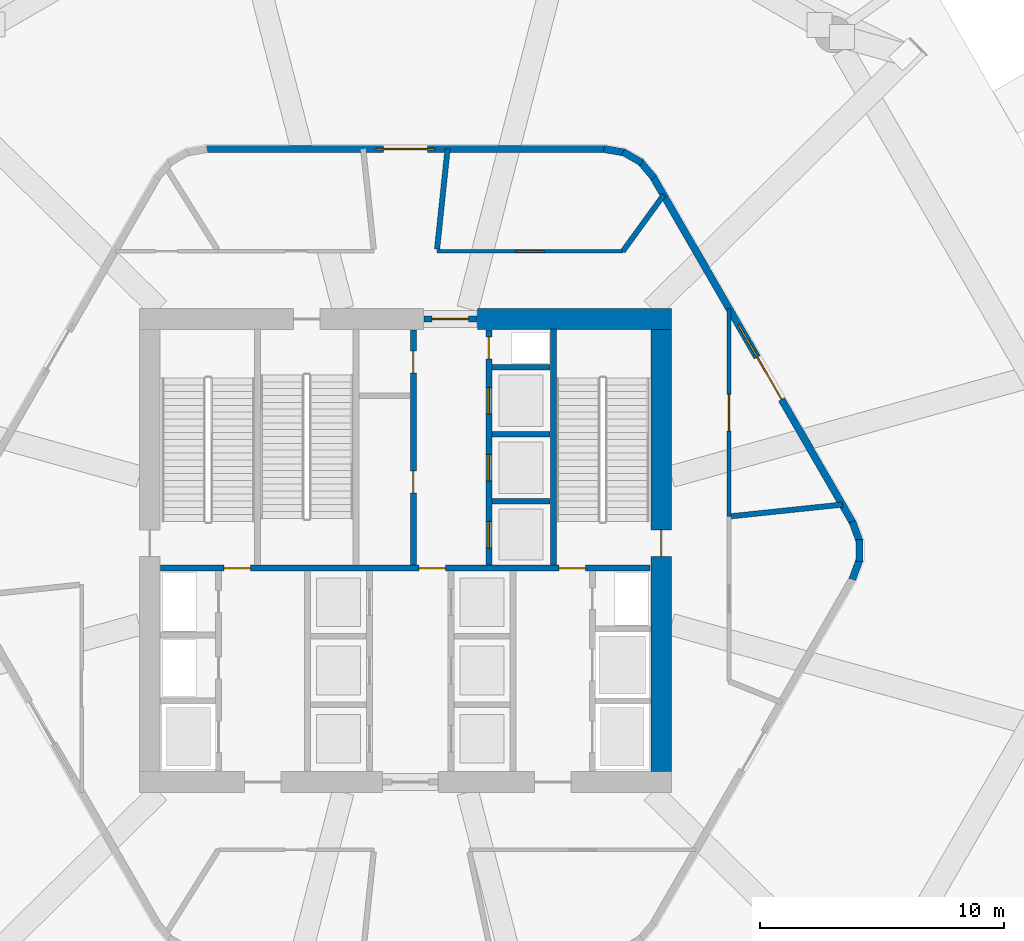
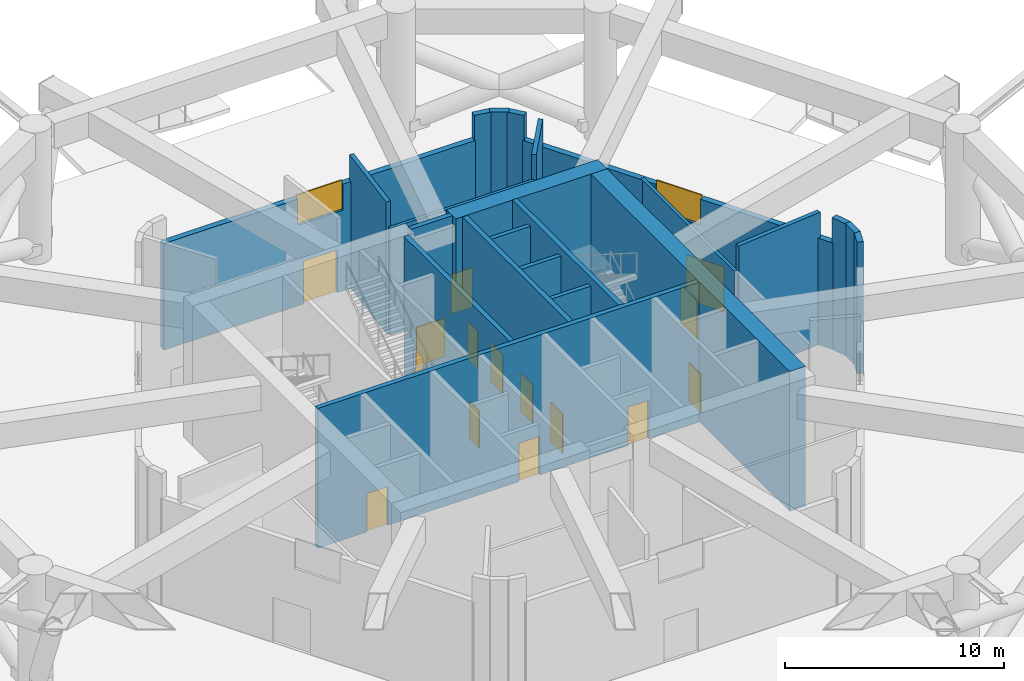
# One storey, part 11 of 17: 23 walls, 15 doors, 2 windows, 17 openings.
"""IFC4 building model written with IfcOpenShell, lengths in metres."""

import ifcopenshell
import ifcopenshell.guid

model = None  # the IFC model being written
_history = None  # IfcOwnerHistory: only IFC2X3 demands one
_inside = {}  # id of a spatial element -> (the spatial element, [elements in it])
_under = {}  # id of a project, library or spatial element -> (it, [spatial elements below it])
_declared = {}  # id of a project -> (the project, [libraries it declares])
_typed = {}  # id of a type object -> (the type object, [elements of that type])
_made_of = {}  # id of a material, layer set ... -> (it, [elements and type objects made of it])


def new_model(schema):
    """Start an empty IFC model of exactly this schema.

    Asked for "IFC4X3", IfcOpenShell would pick the latest addendum, in which some entities
    have other attributes; the version numbers below select the first issue.
    IFC2X3 requires an IfcOwnerHistory on every rooted entity: one is made here for all.
    """
    global model, _history
    if schema == "IFC4X3":
        model = ifcopenshell.file(schema_version=(4, 3, 0, 0))
    else:
        model = ifcopenshell.file(schema=schema)
    _inside.clear()
    _under.clear()
    _declared.clear()
    _typed.clear()
    _made_of.clear()
    _history = None
    if model.schema == "IFC2X3":
        org = make("IfcOrganization", Name="unknown")
        user = make(
            "IfcPersonAndOrganization",
            ThePerson=make("IfcPerson", FamilyName="unknown"),
            TheOrganization=org,
        )
        app = make(
            "IfcApplication",
            ApplicationDeveloper=org,
            Version="unknown",
            ApplicationFullName="unknown",
            ApplicationIdentifier="unknown",
        )
        _history = make(
            "IfcOwnerHistory",
            OwningUser=user,
            OwningApplication=app,
            ChangeAction="ADDED",
            CreationDate=0,
        )
    return model


def make(cls, **values):
    """One entity of the class cls with the attributes given. An attribute that is None is left unset."""
    return model.create_entity(
        cls, **{name: value for name, value in values.items() if value is not None}
    )


def rooted(cls, **values):
    """An entity with a GlobalId (a new one), such as an element, a storey or a relation."""
    return make(cls, GlobalId=ifcopenshell.guid.new(), OwnerHistory=_history, **values)


def si_unit(unit_type, name, prefix=None):
    """IfcSIUnit, for example si_unit("LENGTHUNIT", "METRE", prefix="MILLI")."""
    return make("IfcSIUnit", UnitType=unit_type, Prefix=prefix, Name=name)


def assignment(units):
    """IfcUnitAssignment: the units of a project."""
    return None if units is None else make("IfcUnitAssignment", Units=units)


def point(xyz):
    """IfcCartesianPoint."""
    return None if xyz is None else make("IfcCartesianPoint", Coordinates=xyz)


def direction(xyz):
    """IfcDirection."""
    return None if xyz is None else make("IfcDirection", DirectionRatios=xyz)


def frame(location, z_axis=None, x_axis=None):
    """IfcAxis2Placement3D, a coordinate frame: its origin and axes. An axis left out is left unset."""
    return make(
        "IfcAxis2Placement3D",
        Location=point(location),
        Axis=direction(z_axis),
        RefDirection=direction(x_axis),
    )


def frame_2d(location, x_axis=None):
    """IfcAxis2Placement2D, a coordinate frame in the plane: its origin and x axis."""
    return make(
        "IfcAxis2Placement2D", Location=point(location), RefDirection=direction(x_axis)
    )


def origin():
    """The frame at (0, 0, 0) with its axes left unset."""
    return frame((0.0, 0.0, 0.0))


def place(relative_to, where):
    """IfcLocalPlacement: puts the frame where relative to a parent placement (None: the world)."""
    return make(
        "IfcLocalPlacement", PlacementRelTo=relative_to, RelativePlacement=where
    )


def context(
    kind, dimensions, precision=None, world=None, true_north=None, identifier=None
):
    """IfcGeometricRepresentationContext, for example the 3D "Model" context."""
    return make(
        "IfcGeometricRepresentationContext",
        ContextIdentifier=identifier,
        ContextType=kind,
        CoordinateSpaceDimension=dimensions,
        Precision=precision,
        WorldCoordinateSystem=world,
        TrueNorth=true_north,
    )


def subcontext(parent, identifier, kind, view, scale=None):
    """IfcGeometricRepresentationSubContext, for example "Body" below "Model"."""
    return make(
        "IfcGeometricRepresentationSubContext",
        ContextIdentifier=identifier,
        ContextType=kind,
        ParentContext=parent,
        TargetScale=scale,
        TargetView=view,
    )


def project(units=None, contexts=None):
    """IfcProject with its units and contexts."""
    return rooted(
        "IfcProject",
        Name="project",
        RepresentationContexts=contexts,
        UnitsInContext=assignment(units),
    )


def spatial(cls, under=None, at=None, **own):
    """A site, building, storey or space (cls), placed at a placement, below another one or the project."""
    s = rooted(cls, ObjectPlacement=at, **own)
    if under is not None:
        _under.setdefault(under.id(), (under, []))[1].append(s)
    return s


def profile(cls, at=None, kind="AREA", **sizes):
    """A parametric profile (cls). Its sizes go by their IFC names, for example OverallWidth=200.0."""
    return make(cls, ProfileType=kind, Position=at, **sizes)


def rectangle(**sizes):
    """IfcRectangleProfileDef."""
    return profile("IfcRectangleProfileDef", **sizes)


def extrude(swept, where, along, depth):
    """IfcExtrudedAreaSolid: the profile swept, set in the frame where, extruded along a direction by depth."""
    return make(
        "IfcExtrudedAreaSolid",
        SweptArea=swept,
        Position=where,
        ExtrudedDirection=direction(along),
        Depth=depth,
    )


def shape(context_of_items, identifier, shape_type, items):
    """IfcShapeRepresentation: the items that make up one representation, for example the "Body"."""
    return make(
        "IfcShapeRepresentation",
        ContextOfItems=context_of_items,
        RepresentationIdentifier=identifier,
        RepresentationType=shape_type,
        Items=items,
    )


def material(Name=None, Category=None):
    """IfcMaterial."""
    return make("IfcMaterial", Name=Name, Category=Category)


def layer(
    of_material, thickness, ventilated=None, Name=None, Category=None, Priority=None
):
    """IfcMaterialLayer: one layer of a wall or slab, of a material (None: an air gap)."""
    return make(
        "IfcMaterialLayer",
        Material=of_material,
        LayerThickness=thickness,
        IsVentilated=ventilated,
        Name=Name,
        Category=Category,
        Priority=Priority,
    )


def layer_set(layers, Name=None):
    """IfcMaterialLayerSet."""
    return make("IfcMaterialLayerSet", MaterialLayers=layers, LayerSetName=Name)


def made_of(thing, what):
    """Note that an element or type object is made of a material, layer set ...; save() writes the relation."""
    if what is not None:
        _made_of.setdefault(what.id(), (what, []))[1].append(thing)
    return thing


def type_object(cls, material=None, **own):
    """A type object (cls), such as IfcWallType, which elements share."""
    return made_of(rooted(cls, **own), material)


def element(
    cls,
    number,
    at=None,
    inside=None,
    cuts=None,
    type_object=None,
    material=None,
    context=None,
    identifier="Body",
    shape_type=None,
    held_by="IfcProductDefinitionShape",
    body=None,
    shapes=None,
    **own,
):
    """One element of the class cls, such as IfcWall. Its Tag is "e" and its number.

    at: its placement. inside: the storey or other place that contains it. cuts: it is an
    opening in that element (IfcRelVoidsElement). A single representation is given by context,
    identifier, shape_type and body (its items); several are given by shapes. held_by: the class
    of the entity that holds the representations. save() writes the other relations.
    """
    e = rooted(cls, Tag="e%d" % number, ObjectPlacement=at, **own)
    if body is not None:
        shapes = [shape(context, identifier, shape_type, body)]
    if shapes is not None:
        e.Representation = make(held_by, Representations=shapes)
    if inside is not None:
        _inside.setdefault(inside.id(), (inside, []))[1].append(e)
    if cuts is not None:
        rooted(
            "IfcRelVoidsElement", RelatingBuildingElement=cuts, RelatedOpeningElement=e
        )
    if type_object is not None:
        _typed.setdefault(type_object.id(), (type_object, []))[1].append(e)
    return made_of(e, material)


def fill(opening, filler):
    """IfcRelFillsElement: the door or window that sits in an opening."""
    return rooted(
        "IfcRelFillsElement",
        RelatingOpeningElement=opening,
        RelatedBuildingElement=filler,
    )


def aggregate(whole, parts):
    """IfcRelAggregates: a whole, such as a stair, and the parts it consists of."""
    return rooted("IfcRelAggregates", RelatingObject=whole, RelatedObjects=parts)


def save(model, path):
    """Write the relations noted so far, then the file.

    IfcRelAggregates (storeys below a building ...), IfcRelContainedInSpatialStructure (elements
    in a storey), IfcRelDefinesByType, IfcRelAssociatesMaterial and IfcRelDeclares: one each for
    every whole, place, type object, material and project.
    """
    for whole, parts in _under.values():
        aggregate(whole, parts)
    for where, things in _inside.values():
        rooted(
            "IfcRelContainedInSpatialStructure",
            RelatedElements=things,
            RelatingStructure=where,
        )
    for kind, things in _typed.values():
        rooted("IfcRelDefinesByType", RelatedObjects=things, RelatingType=kind)
    for what, things in _made_of.values():
        rooted("IfcRelAssociatesMaterial", RelatedObjects=things, RelatingMaterial=what)
    for by, libraries in _declared.values():
        rooted("IfcRelDeclares", RelatingContext=by, RelatedDefinitions=libraries)
    model.write(path)


model = new_model("IFC4")

# Units and contexts
model_context = context("Model", 3, precision=1e-05, world=origin(), true_north=direction((0.0, 1.0)))
body_context = subcontext(model_context, "Body", "Model", "MODEL_VIEW")
ifc_project = project(units=[si_unit("LENGTHUNIT", "METRE"), si_unit("AREAUNIT", "SQUARE_METRE"), si_unit("VOLUMEUNIT", "CUBIC_METRE"), si_unit("PLANEANGLEUNIT", "RADIAN"), si_unit("MASSUNIT", "GRAM", prefix="KILO")], contexts=[model_context])

# Site, building, storey
site_placement = place(None, origin())
site = spatial("IfcSite", under=ifc_project, at=site_placement, CompositionType="ELEMENT")
building_placement = place(site_placement, origin())
building = spatial("IfcBuilding", under=site, at=building_placement, Name="Zuhravey Tower", CompositionType="ELEMENT")
storey_placement = place(building_placement, origin())
storey = spatial("IfcBuildingStorey", under=building, at=storey_placement, Name="L01", CompositionType="ELEMENT", Elevation=0.0)

# Wall
ifc_material_1 = material(Name="Concrete C60/75", Category="concrete")
ifc_layer_1 = layer(ifc_material_1, 0.85009765625)
ifc_layer_set_1 = layer_set([ifc_layer_1], Name="Concrete C60/75")
wall_type_1 = type_object("IfcWallType", Name="Core Shear Wall 850", PredefinedType="SHEAR", material=ifc_layer_set_1)
wall_1_placement = place(storey_placement, frame((46.925048828125, 41.5, 0.0), z_axis=(0.0, 0.0, 1.0), x_axis=(-1.0, 0.0, 0.0)))
element("IfcWall", 1, at=wall_1_placement, inside=storey, type_object=wall_type_1, Name="L01 North-East Core Shear Wall CW85", PredefinedType="SHEAR", context=body_context, shape_type="SweptSolid", body=[
    extrude(rectangle(XDim=7.97509765625, YDim=0.85009765625, at=frame_2d((3.987548828125, 0.0))), origin(), (0.0, 0.0, 1.0), 7.800048828125),
])

# Wall, opening, door
wall_2_placement = place(storey_placement, frame((46.5, 22.925048828125, 0.0), z_axis=(0.0, 0.0, 1.0), x_axis=(0.0, 1.0, 0.0)))
wall_2 = element("IfcWall", 2, at=wall_2_placement, inside=storey, type_object=wall_type_1, Name="L01 East Core Shear Wall CW85", PredefinedType="SHEAR", context=body_context, shape_type="SweptSolid", body=[
    extrude(rectangle(XDim=18.14990234375, YDim=0.85009765625, at=frame_2d((9.074951171875, 0.0))), origin(), (0.0, 0.0, 1.0), 7.800048828125),
])
opening_1_placement = place(wall_2_placement, frame((8.824951171875, 0.0, 0.0)))
opening_1 = element("IfcOpeningElement", 3, at=opening_1_placement, cuts=wall_2, Name="Opening STD1", PredefinedType="OPENING", context=body_context, shape_type="SweptSolid", body=[
    extrude(rectangle(XDim=1.10009765625, YDim=2.14990234375, at=frame_2d((0.550048828125, 1.074951171875))), frame((0.0, 0.43701171875, 0.0), z_axis=(0.0, -1.0, 0.0), x_axis=(1.0, 0.0, 0.0)), (0.0, 0.0, 1.0), 0.8740234375),
])
ifc_material_2 = material(Name="Galvanised fire-rated steel leaf", Category="steel")
door_type_1 = type_object("IfcDoorType", Name="Protected Stair Fire Door 1100x2150", OperationType="NOTDEFINED", PredefinedType="USERDEFINED", material=ifc_material_2)
door_1_placement = place(opening_1_placement, frame((1.10009765625, 0.0, 0.0), z_axis=(0.0, 0.0, 1.0), x_axis=(-1.0, 0.0, 0.0)))
door_1 = element("IfcDoor", 4, at=door_1_placement, inside=storey, type_object=door_type_1, Name="L01 Stair ST2 Door", ObjectType="EXITDOOR", OperationType="SINGLE_SWING_LEFT", OverallHeight=2.14990234375, OverallWidth=1.10009765625, PredefinedType="USERDEFINED", context=body_context, shape_type="SweptSolid", body=[
    extrude(rectangle(XDim=1.10009765625, YDim=2.14990234375, at=frame_2d((0.550048828125, 1.074951171875))), frame((0.0, 0.02490234375, 0.0), z_axis=(0.0, -1.0, 0.0), x_axis=(1.0, 0.0, 0.0)), (0.0, 0.0, 1.0), 0.050048828125),
])
fill(opening_1, door_1)

ifc_material_3 = material(Name="Gypsum fire-rated stud partition")
ifc_layer_2 = layer(ifc_material_3, 0.159912109375)
ifc_layer_set_2 = layer_set([ifc_layer_2], Name="Gypsum fire-rated stud partition")
wall_type_2 = type_object("IfcWallType", Name="Corridor Fire Partition 160", PredefinedType="PARTITIONING", material=ifc_layer_set_2)
wall_3_placement = place(storey_placement, frame((49.284912109375, 33.396240234375, 0.0), z_axis=(0.0, 0.0, 1.0), x_axis=(0.0, 1.0, 0.0)))
wall_3 = element("IfcWall", 5, at=wall_3_placement, inside=storey, type_object=wall_type_2, Name="L01 IW16 Partition 020", PredefinedType="PARTITIONING", context=body_context, shape_type="SweptSolid", body=[
    extrude(rectangle(XDim=8.52880859375, YDim=0.159912109375, at=frame_2d((4.264404296875, 0.0))), origin(), (0.0, 0.0, 1.0), 5.949951171875),
])
opening_2_placement = place(wall_3_placement, frame((3.514404296875, 0.0, 0.0)))
opening_2 = element("IfcOpeningElement", 6, at=opening_2_placement, cuts=wall_3, Name="Opening FFD1", PredefinedType="OPENING", context=body_context, shape_type="SweptSolid", body=[
    extrude(rectangle(XDim=1.5, YDim=2.14990234375, at=frame_2d((0.75, 1.074951171875))), frame((0.0, 0.092041015625, 0.0), z_axis=(0.0, -1.0, 0.0), x_axis=(1.0, 0.0, 0.0)), (0.0, 0.0, 1.0), 0.183837890625),
])
door_type_2 = type_object("IfcDoorType", Name="Firefighting Lobby Double Door 1500x2150", OperationType="DOUBLE_DOOR_SINGLE_SWING", PredefinedType="DOOR", material=ifc_material_2)
door_2_placement = place(opening_2_placement, frame((1.5, 0.0, 0.0), z_axis=(0.0, 0.0, 1.0), x_axis=(-1.0, 0.0, 0.0)))
door_2 = element("IfcDoor", 7, at=door_2_placement, inside=storey, type_object=door_type_2, Name="L01 Door 020.1", OperationType="DOUBLE_DOOR_SINGLE_SWING", OverallHeight=2.14990234375, OverallWidth=1.5, PredefinedType="DOOR", context=body_context, shape_type="SweptSolid", body=[
    extrude(rectangle(XDim=1.5, YDim=2.14990234375, at=frame_2d((0.75, 1.074951171875))), frame((0.0, 0.02490234375, 0.0), z_axis=(0.0, -1.0, 0.0), x_axis=(1.0, 0.0, 0.0)), (0.0, 0.0, 1.0), 0.050048828125),
])
fill(opening_2, door_2)

wall_4_placement = place(storey_placement, frame((44.925537109375, 44.284912109375, 0.0), z_axis=(0.0, 0.0, 1.0), x_axis=(-1.0, 0.0, 0.0)))
wall_4 = element("IfcWall", 8, at=wall_4_placement, inside=storey, type_object=wall_type_2, Name="L01 IW16 Partition 023", PredefinedType="PARTITIONING", context=body_context, shape_type="SweptSolid", body=[
    extrude(rectangle(XDim=7.63427734375, YDim=0.159912109375, at=frame_2d((3.817138671875, 0.0))), origin(), (0.0, 0.0, 1.0), 5.949951171875),
])
opening_3_placement = place(wall_4_placement, frame((3.2421875, 0.0, 0.0)))
opening_3 = element("IfcOpeningElement", 9, at=opening_3_placement, cuts=wall_4, Name="Opening CLD1", PredefinedType="OPENING", context=body_context, shape_type="SweptSolid", body=[
    extrude(rectangle(XDim=1.14990234375, YDim=2.199951171875, at=frame_2d((0.574951171875, 1.10009765625))), frame((0.0, 0.092041015625, 0.0), z_axis=(0.0, -1.0, 0.0), x_axis=(1.0, 0.0, 0.0)), (0.0, 0.0, 1.0), 0.183837890625),
])
ifc_material_4 = material(Name="Acoustic timber leaf with vision lite", Category="wood")
door_type_3 = type_object("IfcDoorType", Name="Classroom Acoustic Door 1150x2200", OperationType="NOTDEFINED", PredefinedType="DOOR", material=ifc_material_4)
door_3_placement = place(opening_3_placement, frame((1.14990234375, 0.0, 0.0), z_axis=(0.0, 0.0, 1.0), x_axis=(-1.0, 0.0, 0.0)))
door_3 = element("IfcDoor", 10, at=door_3_placement, inside=storey, type_object=door_type_3, Name="L01 Door 023.1", OperationType="SINGLE_SWING_RIGHT", OverallHeight=2.199951171875, OverallWidth=1.14990234375, PredefinedType="DOOR", context=body_context, shape_type="SweptSolid", body=[
    extrude(rectangle(XDim=1.14990234375, YDim=2.199951171875, at=frame_2d((0.574951171875, 1.10009765625))), frame((0.0, 0.02490234375, 0.0), z_axis=(0.0, -1.0, 0.0), x_axis=(1.0, 0.0, 0.0)), (0.0, 0.0, 1.0), 0.050048828125),
])
fill(opening_3, door_3)

ifc_material_5 = material(Name="Concrete C50/60", Category="concrete")
ifc_layer_3 = layer(ifc_material_5, 0.25)
ifc_layer_set_3 = layer_set([ifc_layer_3], Name="Concrete C50/60")
wall_type_3 = type_object("IfcWallType", Name="Firefighting Shaft & Stair Wall 250", PredefinedType="SOLIDWALL", material=ifc_layer_set_3)
wall_5_placement = place(storey_placement, frame((36.760009765625, 41.5, 0.0), z_axis=(0.0, 0.0, 1.0), x_axis=(1.0, 0.0, 0.0)))
wall_5 = element("IfcWall", 11, at=wall_5_placement, inside=storey, type_object=wall_type_3, Name="L01 FW25 Shaft Wall 002", PredefinedType="SOLIDWALL", context=body_context, shape_type="SweptSolid", body=[
    extrude(rectangle(XDim=2.179931640625, YDim=0.25, at=frame_2d((1.08984375, 0.0))), origin(), (0.0, 0.0, 1.0), 7.800048828125),
])
opening_4_placement = place(wall_5_placement, frame((0.340087890625, 0.0, 0.0)))
opening_4 = element("IfcOpeningElement", 12, at=opening_4_placement, cuts=wall_5, Name="Opening FFD1", PredefinedType="OPENING", context=body_context, shape_type="SweptSolid", body=[
    extrude(rectangle(XDim=1.5, YDim=2.14990234375, at=frame_2d((0.75, 1.074951171875))), frame((0.0, 0.136962890625, 0.0), z_axis=(0.0, -1.0, 0.0), x_axis=(1.0, 0.0, 0.0)), (0.0, 0.0, 1.0), 0.27392578125),
])
door_4_placement = place(opening_4_placement, origin())
door_4 = element("IfcDoor", 13, at=door_4_placement, inside=storey, type_object=door_type_2, Name="L01 North Lift Lobby Exit Door", OperationType="DOUBLE_DOOR_SINGLE_SWING", OverallHeight=2.14990234375, OverallWidth=1.5, PredefinedType="DOOR", context=body_context, shape_type="SweptSolid", body=[
    extrude(rectangle(XDim=1.5, YDim=2.14990234375, at=frame_2d((0.75, 1.074951171875))), frame((0.0, 0.02490234375, 0.0), z_axis=(0.0, -1.0, 0.0), x_axis=(1.0, 0.0, 0.0)), (0.0, 0.0, 1.0), 0.050048828125),
])
fill(opening_4, door_4)

# Wall, openings, doors
wall_6_placement = place(storey_placement, frame((25.949951171875, 31.27490234375, 0.0), z_axis=(0.0, 0.0, 1.0), x_axis=(1.0, 0.0, 0.0)))
wall_6 = element("IfcWall", 14, at=wall_6_placement, inside=storey, type_object=wall_type_3, Name="L01 FW25 Shaft Wall 003", PredefinedType="SOLIDWALL", context=body_context, shape_type="SweptSolid", body=[
    extrude(rectangle(XDim=20.10009765625, YDim=0.25, at=frame_2d((10.050048828125, 0.0))), origin(), (0.0, 0.0, 1.0), 7.800048828125),
])
opening_5_placement = place(wall_6_placement, frame((2.60009765625, 0.0, 0.0)))
opening_5 = element("IfcOpeningElement", 15, at=opening_5_placement, cuts=wall_6, Name="Opening STD1", PredefinedType="OPENING", context=body_context, shape_type="SweptSolid", body=[
    extrude(rectangle(XDim=1.10009765625, YDim=2.14990234375, at=frame_2d((0.550048828125, 1.074951171875))), frame((0.0, 0.136962890625, 0.0), z_axis=(0.0, -1.0, 0.0), x_axis=(1.0, 0.0, 0.0)), (0.0, 0.0, 1.0), 0.27392578125),
])
opening_6_placement = place(wall_6_placement, frame((10.60009765625, 0.0, 0.0)))
opening_6 = element("IfcOpeningElement", 16, at=opening_6_placement, cuts=wall_6, Name="Opening STD1", PredefinedType="OPENING", context=body_context, shape_type="SweptSolid", body=[
    extrude(rectangle(XDim=1.10009765625, YDim=2.14990234375, at=frame_2d((0.550048828125, 1.074951171875))), frame((0.0, 0.136962890625, 0.0), z_axis=(0.0, -1.0, 0.0), x_axis=(1.0, 0.0, 0.0)), (0.0, 0.0, 1.0), 0.27392578125),
])
opening_7_placement = place(wall_6_placement, frame((16.35009765625, 0.0, 0.0)))
opening_7 = element("IfcOpeningElement", 17, at=opening_7_placement, cuts=wall_6, Name="Opening STD1", PredefinedType="OPENING", context=body_context, shape_type="SweptSolid", body=[
    extrude(rectangle(XDim=1.10009765625, YDim=2.14990234375, at=frame_2d((0.550048828125, 1.074951171875))), frame((0.0, 0.136962890625, 0.0), z_axis=(0.0, -1.0, 0.0), x_axis=(1.0, 0.0, 0.0)), (0.0, 0.0, 1.0), 0.27392578125),
])
door_5_placement = place(opening_5_placement, origin())
door_5 = element("IfcDoor", 18, at=door_5_placement, inside=storey, type_object=door_type_1, Name="L01 FFL-W to ST1 Door", ObjectType="EXITDOOR", OperationType="SINGLE_SWING_LEFT", OverallHeight=2.14990234375, OverallWidth=1.10009765625, PredefinedType="USERDEFINED", context=body_context, shape_type="SweptSolid", body=[
    extrude(rectangle(XDim=1.10009765625, YDim=2.14990234375, at=frame_2d((0.550048828125, 1.074951171875))), frame((0.0, 0.02490234375, 0.0), z_axis=(0.0, -1.0, 0.0), x_axis=(1.0, 0.0, 0.0)), (0.0, 0.0, 1.0), 0.050048828125),
])
fill(opening_5, door_5)
door_6_placement = place(opening_6_placement, origin())
door_6 = element("IfcDoor", 19, at=door_6_placement, inside=storey, type_object=door_type_1, Name="L01 Core Lobby Link Door", ObjectType="EXITDOOR", OperationType="SINGLE_SWING_RIGHT", OverallHeight=2.14990234375, OverallWidth=1.10009765625, PredefinedType="USERDEFINED", context=body_context, shape_type="SweptSolid", body=[
    extrude(rectangle(XDim=1.10009765625, YDim=2.14990234375, at=frame_2d((0.550048828125, 1.074951171875))), frame((0.0, 0.02490234375, 0.0), z_axis=(0.0, -1.0, 0.0), x_axis=(1.0, 0.0, 0.0)), (0.0, 0.0, 1.0), 0.050048828125),
])
fill(opening_6, door_6)
door_7_placement = place(opening_7_placement, origin())
door_7 = element("IfcDoor", 20, at=door_7_placement, inside=storey, type_object=door_type_1, Name="L01 FFL-E to ST2 Door", ObjectType="EXITDOOR", OperationType="SINGLE_SWING_LEFT", OverallHeight=2.14990234375, OverallWidth=1.10009765625, PredefinedType="USERDEFINED", context=body_context, shape_type="SweptSolid", body=[
    extrude(rectangle(XDim=1.10009765625, YDim=2.14990234375, at=frame_2d((0.550048828125, 1.074951171875))), frame((0.0, 0.02490234375, 0.0), z_axis=(0.0, -1.0, 0.0), x_axis=(1.0, 0.0, 0.0)), (0.0, 0.0, 1.0), 0.050048828125),
])
fill(opening_7, door_7)

# Wall
wall_7_placement = place(storey_placement, frame((42.074951171875, 31.39990234375, 0.0), z_axis=(0.0, 0.0, 1.0), x_axis=(0.0, 1.0, 0.0)))
element("IfcWall", 21, at=wall_7_placement, inside=storey, type_object=wall_type_3, Name="L01 FW25 Shaft Wall 006", PredefinedType="SOLIDWALL", context=body_context, shape_type="SweptSolid", body=[
    extrude(rectangle(XDim=9.7001953125, YDim=0.25, at=frame_2d((4.85009765625, 0.0))), origin(), (0.0, 0.0, 1.0), 7.800048828125),
])

# Wall, openings, doors
wall_8_placement = place(storey_placement, frame((36.324951171875, 31.39990234375, 0.0), z_axis=(0.0, 0.0, 1.0), x_axis=(0.0, 1.0, 0.0)))
wall_8 = element("IfcWall", 22, at=wall_8_placement, inside=storey, type_object=wall_type_3, Name="L01 FW25 Shaft Wall 007", PredefinedType="SOLIDWALL", context=body_context, shape_type="SweptSolid", body=[
    extrude(rectangle(XDim=9.650146484375, YDim=0.25, at=frame_2d((4.8251953125, 0.0))), origin(), (0.0, 0.0, 1.0), 7.800048828125),
])
opening_8_placement = place(wall_8_placement, frame((2.965087890625, 0.0, 0.0)))
opening_8 = element("IfcOpeningElement", 23, at=opening_8_placement, cuts=wall_8, Name="Opening RSD1", PredefinedType="OPENING", context=body_context, shape_type="SweptSolid", body=[
    extrude(rectangle(XDim=0.89990234375, YDim=2.10009765625, at=frame_2d((0.449951171875, 1.050048828125))), frame((0.0, 0.136962890625, 0.0), z_axis=(0.0, -1.0, 0.0), x_axis=(1.0, 0.0, 0.0)), (0.0, 0.0, 1.0), 0.27392578125),
])
opening_9_placement = place(wall_8_placement, frame((7.885009765625, 0.0, 0.0)))
opening_9 = element("IfcOpeningElement", 24, at=opening_9_placement, cuts=wall_8, Name="Opening RSD1", PredefinedType="OPENING", context=body_context, shape_type="SweptSolid", body=[
    extrude(rectangle(XDim=0.89990234375, YDim=2.10009765625, at=frame_2d((0.449951171875, 1.050048828125))), frame((0.0, 0.136962890625, 0.0), z_axis=(0.0, -1.0, 0.0), x_axis=(1.0, 0.0, 0.0)), (0.0, 0.0, 1.0), 0.27392578125),
])
ifc_material_6 = material(Name="Galvanised fire-rated steel access leaf", Category="steel")
door_type_4 = type_object("IfcDoorType", Name="Riser & Shaft Access Fire Door 900x2100", OperationType="NOTDEFINED", PredefinedType="DOOR", material=ifc_material_6)
door_8_placement = place(opening_8_placement, origin())
door_8 = element("IfcDoor", 25, at=door_8_placement, inside=storey, type_object=door_type_4, Name="L01 Equipment and Refuse Store Door", OperationType="SINGLE_SWING_RIGHT", OverallHeight=2.10009765625, OverallWidth=0.89990234375, PredefinedType="DOOR", context=body_context, shape_type="SweptSolid", body=[
    extrude(rectangle(XDim=0.89990234375, YDim=2.10009765625, at=frame_2d((0.449951171875, 1.050048828125))), frame((0.0, 0.02490234375, 0.0), z_axis=(0.0, -1.0, 0.0), x_axis=(1.0, 0.0, 0.0)), (0.0, 0.0, 1.0), 0.050048828125),
])
fill(opening_8, door_8)
door_9_placement = place(opening_9_placement, origin())
door_9 = element("IfcDoor", 26, at=door_9_placement, inside=storey, type_object=door_type_4, Name="L01 BMS Control Room Door", OperationType="SINGLE_SWING_LEFT", OverallHeight=2.10009765625, OverallWidth=0.89990234375, PredefinedType="DOOR", context=body_context, shape_type="SweptSolid", body=[
    extrude(rectangle(XDim=0.89990234375, YDim=2.10009765625, at=frame_2d((0.449951171875, 1.050048828125))), frame((0.0, 0.02490234375, 0.0), z_axis=(0.0, -1.0, 0.0), x_axis=(1.0, 0.0, 0.0)), (0.0, 0.0, 1.0), 0.050048828125),
])
fill(opening_9, door_9)

wall_9_placement = place(storey_placement, frame((39.425048828125, 31.39990234375, 0.0), z_axis=(0.0, 0.0, 1.0), x_axis=(0.0, 1.0, 0.0)))
wall_9 = element("IfcWall", 27, at=wall_9_placement, inside=storey, type_object=wall_type_3, Name="L01 FW25 Shaft Wall 008", PredefinedType="SOLIDWALL", context=body_context, shape_type="SweptSolid", body=[
    extrude(rectangle(XDim=9.650146484375, YDim=0.25, at=frame_2d((4.8251953125, 0.0))), origin(), (0.0, 0.0, 1.0), 7.800048828125),
])
opening_10_placement = place(wall_9_placement, frame((0.699951171875, 0.0, 0.0)))
opening_10 = element("IfcOpeningElement", 28, at=opening_10_placement, cuts=wall_9, Name="Opening LD1", PredefinedType="OPENING", context=body_context, shape_type="SweptSolid", body=[
    extrude(rectangle(XDim=1.10009765625, YDim=2.199951171875, at=frame_2d((0.550048828125, 1.10009765625))), frame((0.0, 0.136962890625, 0.0), z_axis=(0.0, -1.0, 0.0), x_axis=(1.0, 0.0, 0.0)), (0.0, 0.0, 1.0), 0.27392578125),
])
opening_11_placement = place(wall_9_placement, frame((3.449951171875, 0.0, 0.0)))
opening_11 = element("IfcOpeningElement", 29, at=opening_11_placement, cuts=wall_9, Name="Opening LD1", PredefinedType="OPENING", context=body_context, shape_type="SweptSolid", body=[
    extrude(rectangle(XDim=1.10009765625, YDim=2.199951171875, at=frame_2d((0.550048828125, 1.10009765625))), frame((0.0, 0.136962890625, 0.0), z_axis=(0.0, -1.0, 0.0), x_axis=(1.0, 0.0, 0.0)), (0.0, 0.0, 1.0), 0.27392578125),
])
opening_12_placement = place(wall_9_placement, frame((6.199951171875, 0.0, 0.0)))
opening_12 = element("IfcOpeningElement", 30, at=opening_12_placement, cuts=wall_9, Name="Opening LD1", PredefinedType="OPENING", context=body_context, shape_type="SweptSolid", body=[
    extrude(rectangle(XDim=1.10009765625, YDim=2.199951171875, at=frame_2d((0.550048828125, 1.10009765625))), frame((0.0, 0.136962890625, 0.0), z_axis=(0.0, -1.0, 0.0), x_axis=(1.0, 0.0, 0.0)), (0.0, 0.0, 1.0), 0.27392578125),
])
opening_13_placement = place(wall_9_placement, frame((8.469970703125, 0.0, 0.0)))
opening_13 = element("IfcOpeningElement", 31, at=opening_13_placement, cuts=wall_9, Name="Opening RSD1", PredefinedType="OPENING", context=body_context, shape_type="SweptSolid", body=[
    extrude(rectangle(XDim=0.89990234375, YDim=2.10009765625, at=frame_2d((0.449951171875, 1.050048828125))), frame((0.0, 0.136962890625, 0.0), z_axis=(0.0, -1.0, 0.0), x_axis=(1.0, 0.0, 0.0)), (0.0, 0.0, 1.0), 0.27392578125),
])
ifc_material_7 = material(Name="Brushed stainless steel", Category="steel")
door_type_5 = type_object("IfcDoorType", Name="Lift Landing Sliding Door 1100x2200", OperationType="DOUBLE_DOOR_SLIDING", PredefinedType="DOOR", material=ifc_material_7)
door_10_placement = place(opening_10_placement, origin())
door_10 = element("IfcDoor", 32, at=door_10_placement, inside=storey, type_object=door_type_5, Name="L01 Lift PL7 Landing Door", OperationType="DOUBLE_DOOR_SLIDING", OverallHeight=2.199951171875, OverallWidth=1.10009765625, PredefinedType="DOOR", context=body_context, shape_type="SweptSolid", body=[
    extrude(rectangle(XDim=1.10009765625, YDim=2.199951171875, at=frame_2d((0.550048828125, 1.10009765625))), frame((0.0, 0.02490234375, 0.0), z_axis=(0.0, -1.0, 0.0), x_axis=(1.0, 0.0, 0.0)), (0.0, 0.0, 1.0), 0.050048828125),
])
fill(opening_10, door_10)
door_11_placement = place(opening_11_placement, origin())
door_11 = element("IfcDoor", 33, at=door_11_placement, inside=storey, type_object=door_type_5, Name="L01 Lift PL8 Landing Door", OperationType="DOUBLE_DOOR_SLIDING", OverallHeight=2.199951171875, OverallWidth=1.10009765625, PredefinedType="DOOR", context=body_context, shape_type="SweptSolid", body=[
    extrude(rectangle(XDim=1.10009765625, YDim=2.199951171875, at=frame_2d((0.550048828125, 1.10009765625))), frame((0.0, 0.02490234375, 0.0), z_axis=(0.0, -1.0, 0.0), x_axis=(1.0, 0.0, 0.0)), (0.0, 0.0, 1.0), 0.050048828125),
])
fill(opening_11, door_11)
door_12_placement = place(opening_12_placement, origin())
door_12 = element("IfcDoor", 34, at=door_12_placement, inside=storey, type_object=door_type_5, Name="L01 Lift PL9 Landing Door", OperationType="DOUBLE_DOOR_SLIDING", OverallHeight=2.199951171875, OverallWidth=1.10009765625, PredefinedType="DOOR", context=body_context, shape_type="SweptSolid", body=[
    extrude(rectangle(XDim=1.10009765625, YDim=2.199951171875, at=frame_2d((0.550048828125, 1.10009765625))), frame((0.0, 0.02490234375, 0.0), z_axis=(0.0, -1.0, 0.0), x_axis=(1.0, 0.0, 0.0)), (0.0, 0.0, 1.0), 0.050048828125),
])
fill(opening_12, door_12)
door_13_placement = place(opening_13_placement, origin())
door_13 = element("IfcDoor", 35, at=door_13_placement, inside=storey, type_object=door_type_4, Name="L01 North Riser Door", OperationType="SINGLE_SWING_RIGHT", OverallHeight=2.10009765625, OverallWidth=0.89990234375, PredefinedType="DOOR", context=body_context, shape_type="SweptSolid", body=[
    extrude(rectangle(XDim=0.89990234375, YDim=2.10009765625, at=frame_2d((0.449951171875, 1.050048828125))), frame((0.0, 0.02490234375, 0.0), z_axis=(0.0, -1.0, 0.0), x_axis=(1.0, 0.0, 0.0)), (0.0, 0.0, 1.0), 0.050048828125),
])
fill(opening_13, door_13)

# Walls
ifc_material_8 = material(Name="Gypsum acoustic stud assembly")
ifc_layer_4 = layer(ifc_material_8, 0.219970703125)
ifc_layer_set_4 = layer_set([ifc_layer_4], Name="Gypsum acoustic stud assembly")
wall_type_4 = type_object("IfcWallType", Name="School Acoustic Compartment Wall 220", PredefinedType="PARTITIONING", material=ifc_layer_set_4)
for number, where, z_axis, x_axis, name in (
    (36, (39.55810546875, 34.02490234375, 0.0), (0.0, 0.0, 1.0), (1.0, 0.0, 0.0), "L01 IW22 Partition 028"),
    (37, (39.55810546875, 36.77490234375, 0.0), (0.0, 0.0, 1.0), (1.0, 0.0, 0.0), "L01 IW22 Partition 029"),
    (38, (39.55810546875, 39.52490234375, 0.0), (0.0, 0.0, 1.0), (1.0, 0.0, 0.0), "L01 IW22 Partition 030"),
):
    element("IfcWall", number, at=place(storey_placement, frame(where, z_axis=z_axis, x_axis=x_axis)), inside=storey, type_object=wall_type_4, Name=name, PredefinedType="PARTITIONING", context=body_context, shape_type="SweptSolid", body=[
        extrude(rectangle(XDim=2.3837890625, YDim=0.219970703125, at=frame_2d((1.19189453125, 0.0))), origin(), (0.0, 0.0, 1.0), 7.35009765625),
    ])
wall_10_placement = place(storey_placement, frame((49.373046875, 33.405517578125, 0.0), z_axis=(0.0, 0.0, 1.0), x_axis=(0.994522302342, 0.104524591102, 0.0)))
element("IfcWall", 39, at=wall_10_placement, inside=storey, type_object=wall_type_4, Name="L01 IW22 Partition 037", PredefinedType="PARTITIONING", context=body_context, shape_type="SweptSolid", body=[
    extrude(rectangle(XDim=4.601318359375, YDim=0.219970703125, at=frame_2d((2.30078125, 0.0))), origin(), (0.0, 0.0, 1.0), 7.35009765625),
])
wall_11_placement = place(storey_placement, frame((44.925537109375, 44.28515625, 0.0), z_axis=(0.0, 0.0, 1.0), x_axis=(0.587842049223, 0.808975725943, 0.0)))
element("IfcWall", 40, at=wall_11_placement, inside=storey, type_object=wall_type_4, Name="L01 IW22 Partition 038", PredefinedType="PARTITIONING", context=body_context, shape_type="SweptSolid", body=[
    extrude(rectangle(XDim=2.86279296875, YDim=0.219970703125, at=frame_2d((1.431396484375, 0.0))), origin(), (0.0, 0.0, 1.0), 7.35009765625),
])
wall_12_placement = place(storey_placement, frame((37.300537109375, 44.373046875, 0.0), z_axis=(0.0, 0.0, 1.0), x_axis=(0.1045035548, 0.994524513038, 0.0)))
element("IfcWall", 41, at=wall_12_placement, inside=storey, type_object=wall_type_4, Name="L01 IW22 Partition 041", PredefinedType="PARTITIONING", context=body_context, shape_type="SweptSolid", body=[
    extrude(rectangle(XDim=4.137451171875, YDim=0.219970703125, at=frame_2d((2.06884765625, 0.0))), origin(), (0.0, 0.0, 1.0), 7.35009765625),
])

# Wall, openings, door, window
ifc_material_9 = material(Name="Precast concrete C40/50", Category="concrete")
ifc_layer_5 = layer(ifc_material_9, 0.300048828125)
ifc_layer_set_5 = layer_set([ifc_layer_5], Name="Precast concrete C40/50")
wall_type_5 = type_object("IfcWallType", Name="Stilt Pavilion Enclosure Wall 300", PredefinedType="SOLIDWALL", material=ifc_layer_set_5)
wall_13_placement = place(storey_placement, frame((27.74365234375, 48.477783203125, 0.0), z_axis=(0.0, 0.0, 1.0), x_axis=(1.0, 0.0, 0.0)))
wall_13 = element("IfcWall", 42, at=wall_13_placement, inside=storey, type_object=wall_type_5, Name="L01 Pavilion Enclosure Wall EW30-17", PredefinedType="SOLIDWALL", context=body_context, shape_type="SweptSolid", body=[
    extrude(rectangle(XDim=16.5126953125, YDim=0.300048828125, at=frame_2d((8.25634765625, 0.0))), origin(), (0.0, 0.0, 1.0), 5.949951171875),
])
opening_14_placement = place(wall_13_placement, frame((7.356201171875, 0.0, 0.0)))
opening_14 = element("IfcOpeningElement", 43, at=opening_14_placement, cuts=wall_13, Name="Opening EXD1", PredefinedType="OPENING", context=body_context, shape_type="SweptSolid", body=[
    extrude(rectangle(XDim=1.800048828125, YDim=2.39990234375, at=frame_2d((0.89990234375, 1.199951171875))), frame((0.0, 0.162109375, 0.0), z_axis=(0.0, -1.0, 0.0), x_axis=(1.0, 0.0, 0.0)), (0.0, 0.0, 1.0), 0.323974609375),
])
opening_15_placement = place(wall_13_placement, frame((7.056396484375, 0.0, 4.5)))
opening_15 = element("IfcOpeningElement", 44, at=opening_15_placement, cuts=wall_13, Name="Opening WN1", PredefinedType="OPENING", context=body_context, shape_type="SweptSolid", body=[
    extrude(rectangle(XDim=2.39990234375, YDim=1.60009765625, at=frame_2d((1.199951171875, 0.800048828125))), frame((0.0, 0.162109375, 0.0), z_axis=(0.0, -1.0, 0.0), x_axis=(1.0, 0.0, 0.0)), (0.0, 0.0, 1.0), 0.323974609375),
])
ifc_material_10 = material(Name="Anodised aluminium and safety glass", Category="aluminium")
door_type_6 = type_object("IfcDoorType", Name="Pedestrian Final Exit Double Door 1800x2400", OperationType="DOUBLE_DOOR_SINGLE_SWING", PredefinedType="USERDEFINED", material=ifc_material_10)
door_14_placement = place(opening_14_placement, origin())
door_14 = element("IfcDoor", 45, at=door_14_placement, inside=storey, type_object=door_type_6, Name="L01 Final Exit Door EX-03", ObjectType="EXITDOOR", OperationType="DOUBLE_DOOR_SINGLE_SWING", OverallHeight=2.39990234375, OverallWidth=1.800048828125, PredefinedType="USERDEFINED", context=body_context, shape_type="SweptSolid", body=[
    extrude(rectangle(XDim=1.800048828125, YDim=2.39990234375, at=frame_2d((0.89990234375, 1.199951171875))), frame((0.0, 0.02490234375, 0.0), z_axis=(0.0, -1.0, 0.0), x_axis=(1.0, 0.0, 0.0)), (0.0, 0.0, 1.0), 0.050048828125),
])
fill(opening_14, door_14)
ifc_material_11 = material(Name="Thermally broken aluminium and triple low-E glass", Category="aluminium")
window_type = type_object("IfcWindowType", Name="Stilt Pavilion Clerestory Window 2400x1600", PartitioningType="SINGLE_PANEL", PredefinedType="WINDOW", material=ifc_material_11)
window_1_placement = place(opening_15_placement, origin())
window_1 = element("IfcWindow", 46, at=window_1_placement, inside=storey, type_object=window_type, Name="L01 Pavilion Clerestory Window WN1-17", OverallHeight=1.60009765625, OverallWidth=2.39990234375, PartitioningType="SINGLE_PANEL", PredefinedType="WINDOW", context=body_context, shape_type="SweptSolid", body=[
    extrude(rectangle(XDim=2.39990234375, YDim=1.60009765625, at=frame_2d((1.199951171875, 0.800048828125))), frame((0.0, 0.030029296875, 0.0), z_axis=(0.0, -1.0, 0.0), x_axis=(1.0, 0.0, 0.0)), (0.0, 0.0, 1.0), 0.06005859375),
])
fill(opening_15, window_1)

# Walls
wall_14_placement = place(storey_placement, frame((44.147216796875, 48.4873046875, 0.0), z_axis=(0.0, 0.0, 1.0), x_axis=(0.984802587151, -0.173677472172, 0.0)))
element("IfcWall", 47, at=wall_14_placement, inside=storey, type_object=wall_type_5, Name="L01 Pavilion Enclosure Wall EW30-18", PredefinedType="SOLIDWALL", context=body_context, shape_type="SweptSolid", body=[
    extrude(rectangle(XDim=0.90380859375, YDim=0.300048828125, at=frame_2d((0.451904296875, 0.0))), origin(), (0.0, 0.0, 1.0), 7.35009765625),
])
wall_15_placement = place(storey_placement, frame((44.935546875, 48.367431640625, 0.0), z_axis=(0.0, 0.0, 1.0), x_axis=(0.866007538022, -0.500030943131, 0.0)))
element("IfcWall", 48, at=wall_15_placement, inside=storey, type_object=wall_type_5, Name="L01 Pavilion Enclosure Wall EW30-19", PredefinedType="SOLIDWALL", context=body_context, shape_type="SweptSolid", body=[
    extrude(rectangle(XDim=0.890625, YDim=0.300048828125, at=frame_2d((0.4453125, 0.0))), origin(), (0.0, 0.0, 1.0), 7.35009765625),
])
wall_16_placement = place(storey_placement, frame((45.623779296875, 47.99169921875, 0.0), z_axis=(0.0, 0.0, 1.0), x_axis=(0.64283728984, -0.766002753775, 0.0)))
element("IfcWall", 49, at=wall_16_placement, inside=storey, type_object=wall_type_5, Name="L01 Pavilion Enclosure Wall EW30-20", PredefinedType="SOLIDWALL", context=body_context, shape_type="SweptSolid", body=[
    extrude(rectangle(XDim=0.90380859375, YDim=0.300048828125, at=frame_2d((0.451904296875, 0.0))), origin(), (0.0, 0.0, 1.0), 7.35009765625),
])

# Wall, openings, door, window
wall_17_placement = place(storey_placement, frame((46.14208984375, 47.388916015625, 0.0), z_axis=(0.0, 0.0, 1.0), x_axis=(0.49999847728, -0.866026282926, 0.0)))
wall_17 = element("IfcWall", 50, at=wall_17_placement, inside=storey, type_object=wall_type_5, Name="L01 Pavilion Enclosure Wall EW30-21", PredefinedType="SOLIDWALL", context=body_context, shape_type="SweptSolid", body=[
    extrude(rectangle(XDim=16.51220703125, YDim=0.300048828125, at=frame_2d((8.256103515625, 0.0))), origin(), (0.0, 0.0, 1.0), 5.949951171875),
])
opening_16_placement = place(wall_17_placement, frame((8.606201171875, 0.0, 0.0)))
opening_16 = element("IfcOpeningElement", 51, at=opening_16_placement, cuts=wall_17, Name="Opening END1", PredefinedType="OPENING", context=body_context, shape_type="SweptSolid", body=[
    extrude(rectangle(XDim=2.0, YDim=2.5, at=frame_2d((1.0, 1.25))), frame((0.0, 0.162109375, 0.0), z_axis=(0.0, -1.0, 0.0), x_axis=(1.0, 0.0, 0.0)), (0.0, 0.0, 1.0), 0.323974609375),
])
opening_17_placement = place(wall_17_placement, frame((7.05615234375, 0.0, 4.5)))
opening_17 = element("IfcOpeningElement", 52, at=opening_17_placement, cuts=wall_17, Name="Opening WN1", PredefinedType="OPENING", context=body_context, shape_type="SweptSolid", body=[
    extrude(rectangle(XDim=2.39990234375, YDim=1.60009765625, at=frame_2d((1.199951171875, 0.800048828125))), frame((0.0, 0.162109375, 0.0), z_axis=(0.0, -1.0, 0.0), x_axis=(1.0, 0.0, 0.0)), (0.0, 0.0, 1.0), 0.323974609375),
])
ifc_material_12 = material(Name="Anodised aluminium and clear glass", Category="aluminium")
door_type_7 = type_object("IfcDoorType", Name="Lobby Entrance Double Door 2000x2500", OperationType="DOUBLE_DOOR_SINGLE_SWING", PredefinedType="DOOR", material=ifc_material_12)
door_15_placement = place(opening_16_placement, origin())
door_15 = element("IfcDoor", 53, at=door_15_placement, inside=storey, type_object=door_type_7, Name="L01 Residential Entrance Hall Entrance Door", OperationType="DOUBLE_DOOR_SINGLE_SWING", OverallHeight=2.5, OverallWidth=2.0, PredefinedType="DOOR", context=body_context, shape_type="SweptSolid", body=[
    extrude(rectangle(XDim=2.0, YDim=2.5, at=frame_2d((1.0, 1.25))), frame((0.0, 0.02490234375, 0.0), z_axis=(0.0, -1.0, 0.0), x_axis=(1.0, 0.0, 0.0)), (0.0, 0.0, 1.0), 0.050048828125),
])
fill(opening_16, door_15)
window_2_placement = place(opening_17_placement, origin())
window_2 = element("IfcWindow", 54, at=window_2_placement, inside=storey, type_object=window_type, Name="L01 Pavilion Clerestory Window WN1-21", OverallHeight=1.60009765625, OverallWidth=2.39990234375, PartitioningType="SINGLE_PANEL", PredefinedType="WINDOW", context=body_context, shape_type="SweptSolid", body=[
    extrude(rectangle(XDim=2.39990234375, YDim=1.60009765625, at=frame_2d((1.199951171875, 0.800048828125))), frame((0.0, 0.030029296875, 0.0), z_axis=(0.0, -1.0, 0.0), x_axis=(1.0, 0.0, 0.0)), (0.0, 0.0, 1.0), 0.06005859375),
])
fill(opening_17, window_2)

# Walls
wall_18_placement = place(storey_placement, frame((54.351806640625, 33.18798828125, 0.0), z_axis=(0.0, 0.0, 1.0), x_axis=(0.342198422728, -0.939627713237, 0.0)))
element("IfcWall", 55, at=wall_18_placement, inside=storey, type_object=wall_type_5, Name="L01 Pavilion Enclosure Wall EW30-22", PredefinedType="SOLIDWALL", context=body_context, shape_type="SweptSolid", body=[
    extrude(rectangle(XDim=0.904052734375, YDim=0.300048828125, at=frame_2d((0.4521484375, 0.0))), origin(), (0.0, 0.0, 1.0), 7.35009765625),
])
wall_19_placement = place(storey_placement, frame((54.642333984375, 32.4453125, 0.0), z_axis=(0.0, 0.0, 1.0), x_axis=(0.0, -1.0, 0.0)))
element("IfcWall", 56, at=wall_19_placement, inside=storey, type_object=wall_type_5, Name="L01 Pavilion Enclosure Wall EW30-23", PredefinedType="SOLIDWALL", context=body_context, shape_type="SweptSolid", body=[
    extrude(rectangle(XDim=0.890625, YDim=0.300048828125, at=frame_2d((0.4453125, 0.0))), origin(), (0.0, 0.0, 1.0), 7.35009765625),
])
wall_20_placement = place(storey_placement, frame((54.6611328125, 31.661376953125, 0.0), z_axis=(0.0, 0.0, 1.0), x_axis=(-0.342198422728, -0.939627713237, 0.0)))
element("IfcWall", 57, at=wall_20_placement, inside=storey, type_object=wall_type_5, Name="L01 Pavilion Enclosure Wall EW30-24", PredefinedType="SOLIDWALL", context=body_context, shape_type="SweptSolid", body=[
    extrude(rectangle(XDim=0.904052734375, YDim=0.300048828125, at=frame_2d((0.4521484375, 0.0))), origin(), (0.0, 0.0, 1.0), 7.35009765625),
])

save(model, "model.ifc")
